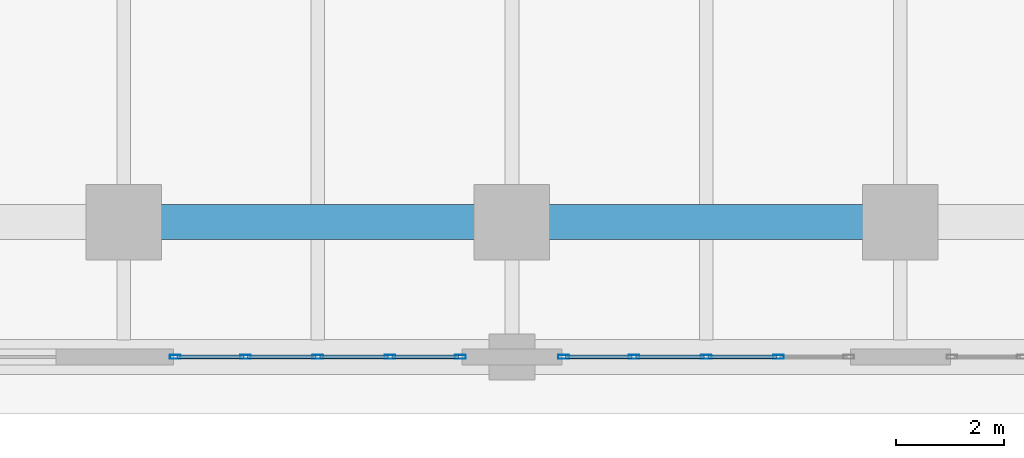
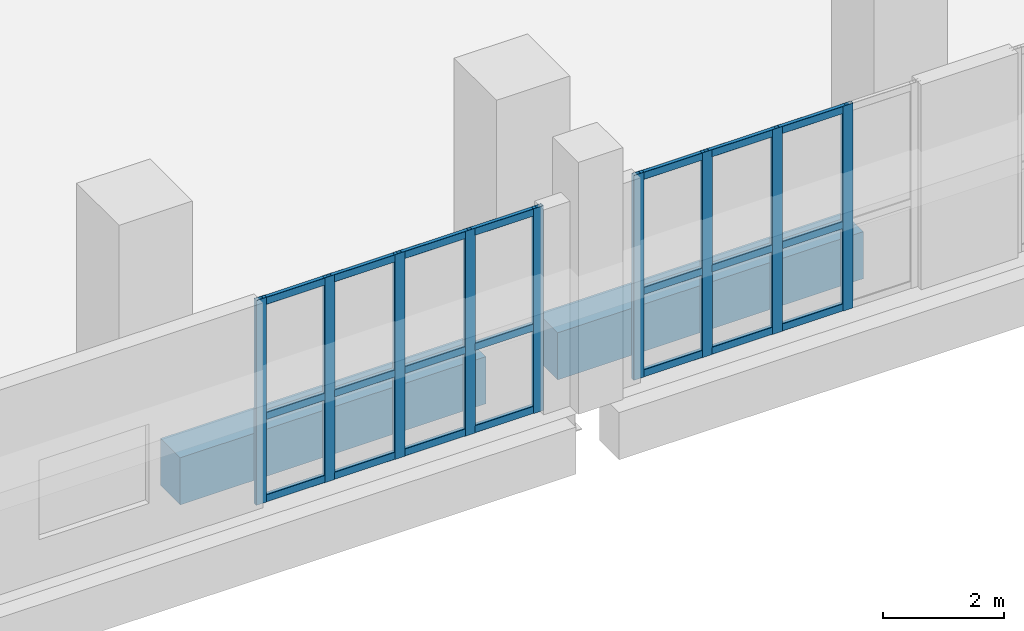
# One storey, part 2 of 25: 30 members, 2 beams, 2 elements without a shape of their own.
"""IFC4 building model written with IfcOpenShell, lengths in metres."""

from ifc_helpers import new_model, si_unit, direction, frame, origin, origin_2d, place, context, subcontext, project, spatial, rectangle, hollow_rectangle, extrude, material, layer, layer_set, material_profile, profile_set, type_object, element, aggregate, save


model = new_model("IFC4")

# Units and contexts
model_context = context("Model", 3, precision=1e-05, world=origin(), true_north=direction((0.0, 1.0)))
body_context = subcontext(model_context, "Body", "Model", "MODEL_VIEW")
ifc_project = project(units=[si_unit("LENGTHUNIT", "METRE"), si_unit("AREAUNIT", "SQUARE_METRE"), si_unit("VOLUMEUNIT", "CUBIC_METRE"), si_unit("PLANEANGLEUNIT", "RADIAN"), si_unit("MASSUNIT", "GRAM", prefix="KILO")], contexts=[model_context])

# Site, building, storey
site_placement = place(None, origin())
site = spatial("IfcSite", under=ifc_project, at=site_placement, CompositionType="ELEMENT")
building_placement = place(site_placement, origin())
building = spatial("IfcBuilding", under=site, at=building_placement, Name="Kaelvorn Grand Hotel", CompositionType="ELEMENT")
storey_placement = place(building_placement, frame((0.0, 0.0, 14.0)))
storey = spatial("IfcBuildingStorey", under=building, at=storey_placement, Name="L02", CompositionType="ELEMENT", Elevation=14.0)

# Beams
ifc_material_1 = material(Name="Concrete C60/75", Category="concrete")
ifc_material_profile_1 = material_profile(ifc_material_1, rectangle(XDim=0.64990234375, YDim=0.949951171875, at=origin_2d()), Name="RC SPANDREL 650x950")
ifc_profile_set_1 = profile_set([ifc_material_profile_1], Name="Concrete C60/75")
beam_type = type_object("IfcBeamType", Name="BM-SP-650x950-C60", PredefinedType="SPANDREL", material=ifc_profile_set_1)
for number, where, z_axis, x_axis, name in (
    (1, (16.885009765625, 0.0, -0.794921875), (1.0, 0.0, 0.0), (0.0, 1.0, 0.0), "L02 Tower Line South Girder 02"),
    (2, (24.0849609375, 0.0, -0.794921875), (1.0, 0.0, 0.0), (0.0, 1.0, 0.0), "L02 Tower Line South Girder 03"),
):
    element("IfcBeam", number, at=place(storey_placement, frame(where, z_axis=z_axis, x_axis=x_axis)), inside=storey, type_object=beam_type, Name=name, PredefinedType="SPANDREL", context=body_context, shape_type="SweptSolid", body=[
        extrude(rectangle(XDim=0.64990234375, YDim=0.949951171875, at=origin_2d()), origin(), (0.0, 0.0, 1.0), 5.830078125),
    ])

# Curtain wall, members
ifc_material_2 = material(Name="Anodised Aluminium", Category="aluminium")
ifc_layer = layer(ifc_material_2, 0.199951171875)
ifc_layer_set = layer_set([ifc_layer], Name="Anodised Aluminium")
curtain_wall_type = type_object("IfcCurtainWallType", Name="CW-SYS2", PredefinedType="NOTDEFINED", material=ifc_layer_set)
curtain_wall_1_placement = place(storey_placement, origin())
curtain_wall_1 = element("IfcCurtainWall", 3, at=curtain_wall_1_placement, inside=storey, type_object=curtain_wall_type, Name="L02 Unitised Curtain Wall CW2 (CW-L02-S-01)", PredefinedType="NOTDEFINED")
ifc_material_profile_2 = material_profile(ifc_material_2, hollow_rectangle(XDim=0.074951171875, YDim=0.199951171875, WallThickness=0.00390625, InnerFilletRadius=0.00390625, OuterFilletRadius=0.008056640625, at=origin_2d()), Name="ALU MULL 75x200")
ifc_profile_set_2 = profile_set([ifc_material_profile_2], Name="Anodised Aluminium")
member_type_1 = type_object("IfcMemberType", Name="CW-SYS2-MULL", PredefinedType="MULLION", material=ifc_profile_set_2)
member_1_placement = place(storey_placement, frame((17.157470703125, -2.5, 0.0), z_axis=(0.0, 0.0, 1.0), x_axis=(0.0, 1.0, 0.0)))
member_1 = element("IfcMember", 4, at=member_1_placement, type_object=member_type_1, Name="CW2 mullion 1", PredefinedType="MULLION", context=body_context, shape_type="SweptSolid", body=[
    extrude(hollow_rectangle(XDim=0.074951171875, YDim=0.199951171875, WallThickness=0.00390625, InnerFilletRadius=0.00390625, OuterFilletRadius=0.008056640625, at=origin_2d()), origin(), (0.0, 0.0, 1.0), 4.1298828125),
])
member_2_placement = place(storey_placement, frame((18.4599609375, -2.5, 0.0), z_axis=(0.0, 0.0, 1.0), x_axis=(0.0, 1.0, 0.0)))
member_2 = element("IfcMember", 5, at=member_2_placement, type_object=member_type_1, Name="CW2 mullion 2", PredefinedType="MULLION", context=body_context, shape_type="SweptSolid", body=[
    extrude(hollow_rectangle(XDim=0.074951171875, YDim=0.199951171875, WallThickness=0.00390625, InnerFilletRadius=0.00390625, OuterFilletRadius=0.008056640625, at=origin_2d()), origin(), (0.0, 0.0, 1.0), 4.1298828125),
])
member_3_placement = place(storey_placement, frame((19.800048828125, -2.5, 0.0), z_axis=(0.0, 0.0, 1.0), x_axis=(0.0, 1.0, 0.0)))
member_3 = element("IfcMember", 6, at=member_3_placement, type_object=member_type_1, Name="CW2 mullion 3", PredefinedType="MULLION", context=body_context, shape_type="SweptSolid", body=[
    extrude(hollow_rectangle(XDim=0.074951171875, YDim=0.199951171875, WallThickness=0.00390625, InnerFilletRadius=0.00390625, OuterFilletRadius=0.008056640625, at=origin_2d()), origin(), (0.0, 0.0, 1.0), 4.1298828125),
])
member_4_placement = place(storey_placement, frame((21.139892578125, -2.5, 0.0), z_axis=(0.0, 0.0, 1.0), x_axis=(0.0, 1.0, 0.0)))
member_4 = element("IfcMember", 7, at=member_4_placement, type_object=member_type_1, Name="CW2 mullion 4", PredefinedType="MULLION", context=body_context, shape_type="SweptSolid", body=[
    extrude(hollow_rectangle(XDim=0.074951171875, YDim=0.199951171875, WallThickness=0.00390625, InnerFilletRadius=0.00390625, OuterFilletRadius=0.008056640625, at=origin_2d()), origin(), (0.0, 0.0, 1.0), 4.1298828125),
])
member_5_placement = place(storey_placement, frame((22.4423828125, -2.5, 0.0), z_axis=(0.0, 0.0, 1.0), x_axis=(0.0, 1.0, 0.0)))
member_5 = element("IfcMember", 8, at=member_5_placement, type_object=member_type_1, Name="CW2 mullion 5", PredefinedType="MULLION", context=body_context, shape_type="SweptSolid", body=[
    extrude(hollow_rectangle(XDim=0.074951171875, YDim=0.199951171875, WallThickness=0.00390625, InnerFilletRadius=0.00390625, OuterFilletRadius=0.008056640625, at=origin_2d()), origin(), (0.0, 0.0, 1.0), 4.1298828125),
])

curtain_wall_2_placement = place(storey_placement, origin())
curtain_wall_2 = element("IfcCurtainWall", 9, at=curtain_wall_2_placement, inside=storey, type_object=curtain_wall_type, Name="L02 Unitised Curtain Wall CW2 (CW-L02-S-02)", PredefinedType="NOTDEFINED")
member_6_placement = place(storey_placement, frame((24.357421875, -2.5, 0.0), z_axis=(0.0, 0.0, 1.0), x_axis=(0.0, 1.0, 0.0)))
member_6 = element("IfcMember", 10, at=member_6_placement, type_object=member_type_1, Name="CW2 mullion 1", PredefinedType="MULLION", context=body_context, shape_type="SweptSolid", body=[
    extrude(hollow_rectangle(XDim=0.074951171875, YDim=0.199951171875, WallThickness=0.00390625, InnerFilletRadius=0.00390625, OuterFilletRadius=0.008056640625, at=origin_2d()), origin(), (0.0, 0.0, 1.0), 4.1298828125),
])
member_7_placement = place(storey_placement, frame((25.659912109375, -2.5, 0.0), z_axis=(0.0, 0.0, 1.0), x_axis=(0.0, 1.0, 0.0)))
member_7 = element("IfcMember", 11, at=member_7_placement, type_object=member_type_1, Name="CW2 mullion 2", PredefinedType="MULLION", context=body_context, shape_type="SweptSolid", body=[
    extrude(hollow_rectangle(XDim=0.074951171875, YDim=0.199951171875, WallThickness=0.00390625, InnerFilletRadius=0.00390625, OuterFilletRadius=0.008056640625, at=origin_2d()), origin(), (0.0, 0.0, 1.0), 4.1298828125),
])
member_8_placement = place(storey_placement, frame((27.0, -2.5, 0.0), z_axis=(0.0, 0.0, 1.0), x_axis=(0.0, 1.0, 0.0)))
member_8 = element("IfcMember", 12, at=member_8_placement, type_object=member_type_1, Name="CW2 mullion 3", PredefinedType="MULLION", context=body_context, shape_type="SweptSolid", body=[
    extrude(hollow_rectangle(XDim=0.074951171875, YDim=0.199951171875, WallThickness=0.00390625, InnerFilletRadius=0.00390625, OuterFilletRadius=0.008056640625, at=origin_2d()), origin(), (0.0, 0.0, 1.0), 4.1298828125),
])
member_9_placement = place(storey_placement, frame((28.340087890625, -2.5, 0.0), z_axis=(0.0, 0.0, 1.0), x_axis=(0.0, 1.0, 0.0)))
member_9 = element("IfcMember", 13, at=member_9_placement, type_object=member_type_1, Name="CW2 mullion 4", PredefinedType="MULLION", context=body_context, shape_type="SweptSolid", body=[
    extrude(hollow_rectangle(XDim=0.074951171875, YDim=0.199951171875, WallThickness=0.00390625, InnerFilletRadius=0.00390625, OuterFilletRadius=0.008056640625, at=origin_2d()), origin(), (0.0, 0.0, 1.0), 4.1298828125),
])

# Member
ifc_material_profile_3 = material_profile(ifc_material_2, hollow_rectangle(XDim=0.074951171875, YDim=0.14990234375, WallThickness=0.00390625, InnerFilletRadius=0.00390625, OuterFilletRadius=0.008056640625, at=origin_2d()), Name="ALU TRAN 75x150")
ifc_profile_set_3 = profile_set([ifc_material_profile_3], Name="Anodised Aluminium")
member_type_2 = type_object("IfcMemberType", Name="CW-SYS2-TRAN", PredefinedType="NOTDEFINED", material=ifc_profile_set_3)
member_10_placement = place(storey_placement, frame((17.195068359375, -2.5, 0.074951171875), z_axis=(1.0, 0.0, 0.0), x_axis=(0.0, 1.0, 0.0)))
member_10 = element("IfcMember", 14, at=member_10_placement, type_object=member_type_2, Name="CW2 transom 1.1", ObjectType="TRANSOM", PredefinedType="USERDEFINED", context=body_context, shape_type="SweptSolid", body=[
    extrude(hollow_rectangle(XDim=0.074951171875, YDim=0.14990234375, WallThickness=0.00390625, InnerFilletRadius=0.00390625, OuterFilletRadius=0.008056640625, at=origin_2d()), origin(), (0.0, 0.0, 1.0), 1.2275390625),
])

member_11_placement = place(storey_placement, frame((17.195068359375, -2.5, 1.734619140625), z_axis=(1.0, 0.0, 0.0), x_axis=(0.0, 1.0, 0.0)))
member_11 = element("IfcMember", 15, at=member_11_placement, type_object=member_type_2, Name="CW2 transom 1.2", ObjectType="TRANSOM", PredefinedType="USERDEFINED", context=body_context, shape_type="SweptSolid", body=[
    extrude(hollow_rectangle(XDim=0.074951171875, YDim=0.14990234375, WallThickness=0.00390625, InnerFilletRadius=0.00390625, OuterFilletRadius=0.008056640625, at=origin_2d()), origin(), (0.0, 0.0, 1.0), 1.2275390625),
])

member_12_placement = place(storey_placement, frame((17.195068359375, -2.5, 4.054931640625), z_axis=(1.0, 0.0, 0.0), x_axis=(0.0, 1.0, 0.0)))
member_12 = element("IfcMember", 16, at=member_12_placement, type_object=member_type_2, Name="CW2 transom 1.3", ObjectType="TRANSOM", PredefinedType="USERDEFINED", context=body_context, shape_type="SweptSolid", body=[
    extrude(hollow_rectangle(XDim=0.074951171875, YDim=0.14990234375, WallThickness=0.00390625, InnerFilletRadius=0.00390625, OuterFilletRadius=0.008056640625, at=origin_2d()), origin(), (0.0, 0.0, 1.0), 1.2275390625),
])

member_13_placement = place(storey_placement, frame((18.49755859375, -2.5, 0.074951171875), z_axis=(1.0, 0.0, 0.0), x_axis=(0.0, 1.0, 0.0)))
member_13 = element("IfcMember", 17, at=member_13_placement, type_object=member_type_2, Name="CW2 transom 2.1", ObjectType="TRANSOM", PredefinedType="USERDEFINED", context=body_context, shape_type="SweptSolid", body=[
    extrude(hollow_rectangle(XDim=0.074951171875, YDim=0.14990234375, WallThickness=0.00390625, InnerFilletRadius=0.00390625, OuterFilletRadius=0.008056640625, at=origin_2d()), origin(), (0.0, 0.0, 1.0), 1.264892578125),
])

member_14_placement = place(storey_placement, frame((18.49755859375, -2.5, 1.734619140625), z_axis=(1.0, 0.0, 0.0), x_axis=(0.0, 1.0, 0.0)))
member_14 = element("IfcMember", 18, at=member_14_placement, type_object=member_type_2, Name="CW2 transom 2.2", ObjectType="TRANSOM", PredefinedType="USERDEFINED", context=body_context, shape_type="SweptSolid", body=[
    extrude(hollow_rectangle(XDim=0.074951171875, YDim=0.14990234375, WallThickness=0.00390625, InnerFilletRadius=0.00390625, OuterFilletRadius=0.008056640625, at=origin_2d()), origin(), (0.0, 0.0, 1.0), 1.264892578125),
])

member_15_placement = place(storey_placement, frame((18.49755859375, -2.5, 4.054931640625), z_axis=(1.0, 0.0, 0.0), x_axis=(0.0, 1.0, 0.0)))
member_15 = element("IfcMember", 19, at=member_15_placement, type_object=member_type_2, Name="CW2 transom 2.3", ObjectType="TRANSOM", PredefinedType="USERDEFINED", context=body_context, shape_type="SweptSolid", body=[
    extrude(hollow_rectangle(XDim=0.074951171875, YDim=0.14990234375, WallThickness=0.00390625, InnerFilletRadius=0.00390625, OuterFilletRadius=0.008056640625, at=origin_2d()), origin(), (0.0, 0.0, 1.0), 1.264892578125),
])

member_16_placement = place(storey_placement, frame((19.83740234375, -2.5, 0.074951171875), z_axis=(1.0, 0.0, 0.0), x_axis=(0.0, 1.0, 0.0)))
member_16 = element("IfcMember", 20, at=member_16_placement, type_object=member_type_2, Name="CW2 transom 3.1", ObjectType="TRANSOM", PredefinedType="USERDEFINED", context=body_context, shape_type="SweptSolid", body=[
    extrude(hollow_rectangle(XDim=0.074951171875, YDim=0.14990234375, WallThickness=0.00390625, InnerFilletRadius=0.00390625, OuterFilletRadius=0.008056640625, at=origin_2d()), origin(), (0.0, 0.0, 1.0), 1.26513671875),
])

member_17_placement = place(storey_placement, frame((19.83740234375, -2.5, 1.734619140625), z_axis=(1.0, 0.0, 0.0), x_axis=(0.0, 1.0, 0.0)))
member_17 = element("IfcMember", 21, at=member_17_placement, type_object=member_type_2, Name="CW2 transom 3.2", ObjectType="TRANSOM", PredefinedType="USERDEFINED", context=body_context, shape_type="SweptSolid", body=[
    extrude(hollow_rectangle(XDim=0.074951171875, YDim=0.14990234375, WallThickness=0.00390625, InnerFilletRadius=0.00390625, OuterFilletRadius=0.008056640625, at=origin_2d()), origin(), (0.0, 0.0, 1.0), 1.26513671875),
])

member_18_placement = place(storey_placement, frame((19.83740234375, -2.5, 4.054931640625), z_axis=(1.0, 0.0, 0.0), x_axis=(0.0, 1.0, 0.0)))
member_18 = element("IfcMember", 22, at=member_18_placement, type_object=member_type_2, Name="CW2 transom 3.3", ObjectType="TRANSOM", PredefinedType="USERDEFINED", context=body_context, shape_type="SweptSolid", body=[
    extrude(hollow_rectangle(XDim=0.074951171875, YDim=0.14990234375, WallThickness=0.00390625, InnerFilletRadius=0.00390625, OuterFilletRadius=0.008056640625, at=origin_2d()), origin(), (0.0, 0.0, 1.0), 1.26513671875),
])

member_19_placement = place(storey_placement, frame((21.177490234375, -2.5, 0.074951171875), z_axis=(1.0, 0.0, 0.0), x_axis=(0.0, 1.0, 0.0)))
member_19 = element("IfcMember", 23, at=member_19_placement, type_object=member_type_2, Name="CW2 transom 4.1", ObjectType="TRANSOM", PredefinedType="USERDEFINED", context=body_context, shape_type="SweptSolid", body=[
    extrude(hollow_rectangle(XDim=0.074951171875, YDim=0.14990234375, WallThickness=0.00390625, InnerFilletRadius=0.00390625, OuterFilletRadius=0.008056640625, at=origin_2d()), origin(), (0.0, 0.0, 1.0), 1.2275390625),
])

member_20_placement = place(storey_placement, frame((21.177490234375, -2.5, 1.734619140625), z_axis=(1.0, 0.0, 0.0), x_axis=(0.0, 1.0, 0.0)))
member_20 = element("IfcMember", 24, at=member_20_placement, type_object=member_type_2, Name="CW2 transom 4.2", ObjectType="TRANSOM", PredefinedType="USERDEFINED", context=body_context, shape_type="SweptSolid", body=[
    extrude(hollow_rectangle(XDim=0.074951171875, YDim=0.14990234375, WallThickness=0.00390625, InnerFilletRadius=0.00390625, OuterFilletRadius=0.008056640625, at=origin_2d()), origin(), (0.0, 0.0, 1.0), 1.2275390625),
])

member_21_placement = place(storey_placement, frame((21.177490234375, -2.5, 4.054931640625), z_axis=(1.0, 0.0, 0.0), x_axis=(0.0, 1.0, 0.0)))
member_21 = element("IfcMember", 25, at=member_21_placement, type_object=member_type_2, Name="CW2 transom 4.3", ObjectType="TRANSOM", PredefinedType="USERDEFINED", context=body_context, shape_type="SweptSolid", body=[
    extrude(hollow_rectangle(XDim=0.074951171875, YDim=0.14990234375, WallThickness=0.00390625, InnerFilletRadius=0.00390625, OuterFilletRadius=0.008056640625, at=origin_2d()), origin(), (0.0, 0.0, 1.0), 1.2275390625),
])

aggregate(curtain_wall_1, [member_1, member_2, member_3, member_4, member_5, member_10, member_11, member_12, member_13, member_14, member_15, member_16, member_17, member_18, member_19, member_20, member_21])

member_22_placement = place(storey_placement, frame((24.39501953125, -2.5, 0.074951171875), z_axis=(1.0, 0.0, 0.0), x_axis=(0.0, 1.0, 0.0)))
member_22 = element("IfcMember", 26, at=member_22_placement, type_object=member_type_2, Name="CW2 transom 1.1", ObjectType="TRANSOM", PredefinedType="USERDEFINED", context=body_context, shape_type="SweptSolid", body=[
    extrude(hollow_rectangle(XDim=0.074951171875, YDim=0.14990234375, WallThickness=0.00390625, InnerFilletRadius=0.00390625, OuterFilletRadius=0.008056640625, at=origin_2d()), origin(), (0.0, 0.0, 1.0), 1.2275390625),
])

member_23_placement = place(storey_placement, frame((24.39501953125, -2.5, 1.734619140625), z_axis=(1.0, 0.0, 0.0), x_axis=(0.0, 1.0, 0.0)))
member_23 = element("IfcMember", 27, at=member_23_placement, type_object=member_type_2, Name="CW2 transom 1.2", ObjectType="TRANSOM", PredefinedType="USERDEFINED", context=body_context, shape_type="SweptSolid", body=[
    extrude(hollow_rectangle(XDim=0.074951171875, YDim=0.14990234375, WallThickness=0.00390625, InnerFilletRadius=0.00390625, OuterFilletRadius=0.008056640625, at=origin_2d()), origin(), (0.0, 0.0, 1.0), 1.2275390625),
])

member_24_placement = place(storey_placement, frame((24.39501953125, -2.5, 4.054931640625), z_axis=(1.0, 0.0, 0.0), x_axis=(0.0, 1.0, 0.0)))
member_24 = element("IfcMember", 28, at=member_24_placement, type_object=member_type_2, Name="CW2 transom 1.3", ObjectType="TRANSOM", PredefinedType="USERDEFINED", context=body_context, shape_type="SweptSolid", body=[
    extrude(hollow_rectangle(XDim=0.074951171875, YDim=0.14990234375, WallThickness=0.00390625, InnerFilletRadius=0.00390625, OuterFilletRadius=0.008056640625, at=origin_2d()), origin(), (0.0, 0.0, 1.0), 1.2275390625),
])

member_25_placement = place(storey_placement, frame((25.697509765625, -2.5, 0.074951171875), z_axis=(1.0, 0.0, 0.0), x_axis=(0.0, 1.0, 0.0)))
member_25 = element("IfcMember", 29, at=member_25_placement, type_object=member_type_2, Name="CW2 transom 2.1", ObjectType="TRANSOM", PredefinedType="USERDEFINED", context=body_context, shape_type="SweptSolid", body=[
    extrude(hollow_rectangle(XDim=0.074951171875, YDim=0.14990234375, WallThickness=0.00390625, InnerFilletRadius=0.00390625, OuterFilletRadius=0.008056640625, at=origin_2d()), origin(), (0.0, 0.0, 1.0), 1.264892578125),
])

member_26_placement = place(storey_placement, frame((25.697509765625, -2.5, 1.734619140625), z_axis=(1.0, 0.0, 0.0), x_axis=(0.0, 1.0, 0.0)))
member_26 = element("IfcMember", 30, at=member_26_placement, type_object=member_type_2, Name="CW2 transom 2.2", ObjectType="TRANSOM", PredefinedType="USERDEFINED", context=body_context, shape_type="SweptSolid", body=[
    extrude(hollow_rectangle(XDim=0.074951171875, YDim=0.14990234375, WallThickness=0.00390625, InnerFilletRadius=0.00390625, OuterFilletRadius=0.008056640625, at=origin_2d()), origin(), (0.0, 0.0, 1.0), 1.264892578125),
])

member_27_placement = place(storey_placement, frame((25.697509765625, -2.5, 4.054931640625), z_axis=(1.0, 0.0, 0.0), x_axis=(0.0, 1.0, 0.0)))
member_27 = element("IfcMember", 31, at=member_27_placement, type_object=member_type_2, Name="CW2 transom 2.3", ObjectType="TRANSOM", PredefinedType="USERDEFINED", context=body_context, shape_type="SweptSolid", body=[
    extrude(hollow_rectangle(XDim=0.074951171875, YDim=0.14990234375, WallThickness=0.00390625, InnerFilletRadius=0.00390625, OuterFilletRadius=0.008056640625, at=origin_2d()), origin(), (0.0, 0.0, 1.0), 1.264892578125),
])

member_28_placement = place(storey_placement, frame((27.03759765625, -2.5, 0.074951171875), z_axis=(1.0, 0.0, 0.0), x_axis=(0.0, 1.0, 0.0)))
member_28 = element("IfcMember", 32, at=member_28_placement, type_object=member_type_2, Name="CW2 transom 3.1", ObjectType="TRANSOM", PredefinedType="USERDEFINED", context=body_context, shape_type="SweptSolid", body=[
    extrude(hollow_rectangle(XDim=0.074951171875, YDim=0.14990234375, WallThickness=0.00390625, InnerFilletRadius=0.00390625, OuterFilletRadius=0.008056640625, at=origin_2d()), origin(), (0.0, 0.0, 1.0), 1.264892578125),
])

member_29_placement = place(storey_placement, frame((27.03759765625, -2.5, 1.734619140625), z_axis=(1.0, 0.0, 0.0), x_axis=(0.0, 1.0, 0.0)))
member_29 = element("IfcMember", 33, at=member_29_placement, type_object=member_type_2, Name="CW2 transom 3.2", ObjectType="TRANSOM", PredefinedType="USERDEFINED", context=body_context, shape_type="SweptSolid", body=[
    extrude(hollow_rectangle(XDim=0.074951171875, YDim=0.14990234375, WallThickness=0.00390625, InnerFilletRadius=0.00390625, OuterFilletRadius=0.008056640625, at=origin_2d()), origin(), (0.0, 0.0, 1.0), 1.264892578125),
])

member_30_placement = place(storey_placement, frame((27.03759765625, -2.5, 4.054931640625), z_axis=(1.0, 0.0, 0.0), x_axis=(0.0, 1.0, 0.0)))
member_30 = element("IfcMember", 34, at=member_30_placement, type_object=member_type_2, Name="CW2 transom 3.3", ObjectType="TRANSOM", PredefinedType="USERDEFINED", context=body_context, shape_type="SweptSolid", body=[
    extrude(hollow_rectangle(XDim=0.074951171875, YDim=0.14990234375, WallThickness=0.00390625, InnerFilletRadius=0.00390625, OuterFilletRadius=0.008056640625, at=origin_2d()), origin(), (0.0, 0.0, 1.0), 1.264892578125),
])

aggregate(curtain_wall_2, [member_6, member_7, member_8, member_9, member_22, member_23, member_24, member_25, member_26, member_27, member_28, member_29, member_30])

save(model, "model.ifc")
